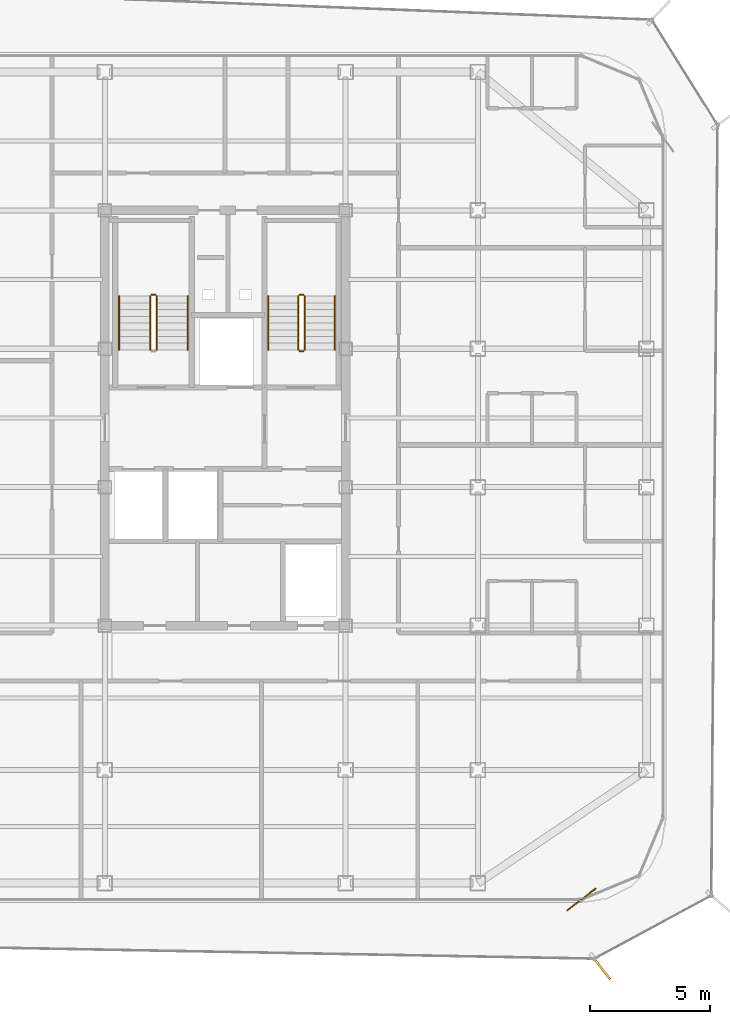
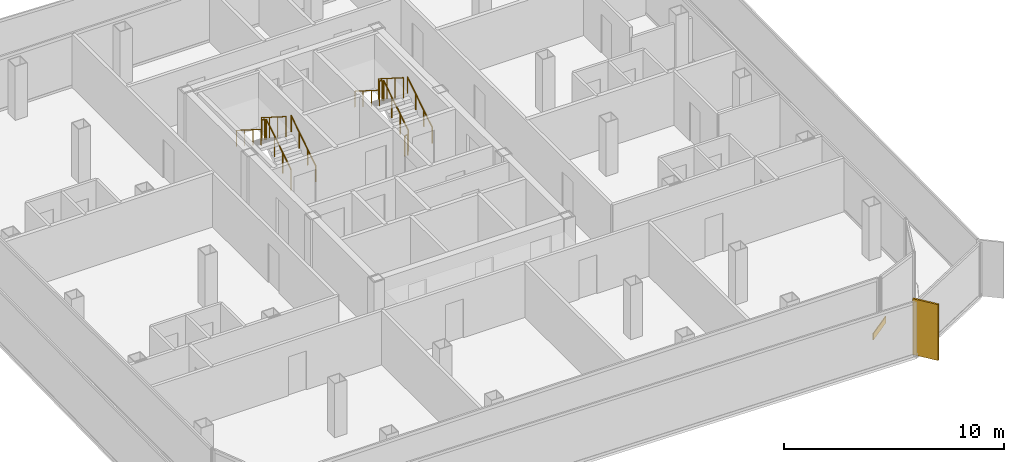
# One storey, part 14 of 15: 11 railings, 1 covering, 1 shading device.
"""IFC4 building model written with IfcOpenShell, lengths in metres."""

from ifc_helpers import new_model, si_unit, direction, frame, origin, origin_2d, place, context, subcontext, project, spatial, rectangle, circle, extrude, source, transform, mapped, material, layer, layer_set, type_object, element, save


model = new_model("IFC4")

# Units and contexts
model_context = context("Model", 3, precision=1e-05, world=origin(), true_north=direction((0.0, 1.0)))
body_context = subcontext(model_context, "Body", "Model", "MODEL_VIEW")
ifc_project = project(units=[si_unit("LENGTHUNIT", "METRE"), si_unit("AREAUNIT", "SQUARE_METRE"), si_unit("VOLUMEUNIT", "CUBIC_METRE"), si_unit("PLANEANGLEUNIT", "RADIAN"), si_unit("MASSUNIT", "GRAM", prefix="KILO")], contexts=[model_context])

# Site, building, storey
site_placement = place(None, origin())
site = spatial("IfcSite", under=ifc_project, at=site_placement, CompositionType="ELEMENT")
building_placement = place(site_placement, origin())
building = spatial("IfcBuilding", under=site, at=building_placement, Name="Kolveth Station Tower", CompositionType="ELEMENT")
storey_placement = place(building_placement, frame((0.0, 0.0, 245.699951171875)))
storey = spatial("IfcBuildingStorey", under=building, at=storey_placement, Name="L70", CompositionType="ELEMENT", Elevation=245.699951171875)

# Railings
ifc_material_1 = material(Name="Painted Steel S355 balustrade", Category="steel")
railing_type_1 = type_object("IfcRailingType", Name="Guard_GR2", PredefinedType="BALUSTRADE", material=ifc_material_1)
railing_1_placement = place(storey_placement, frame((20.64990234375, 22.949951171875, 0.177734375)))
element("IfcRailing", 1, at=railing_1_placement, inside=storey, type_object=railing_type_1, Name="L70 ST1 stair guard 1", PredefinedType="BALUSTRADE", context=body_context, shape_type="SweptSolid", body=[
    extrude(circle(Radius=0.02392578125, at=origin_2d()), frame((0.0, 0.0, 1.1259765625), z_axis=(0.0, 0.84418770128, 0.536047689118), x_axis=(-1.0, 0.0, 0.0)), (0.0, 0.0, 1.0), 2.6533203125),
    extrude(circle(Radius=0.02099609375, at=origin_2d()), origin(), (0.0, 0.0, 1.0), 1.101806640625),
    extrude(circle(Radius=0.02099609375, at=origin_2d()), frame((0.0, 0.74658203125, 0.47412109375)), (0.0, 0.0, 1.0), 1.101806640625),
    extrude(circle(Radius=0.02099609375, at=origin_2d()), frame((0.0, 1.493408203125, 0.9482421875)), (0.0, 0.0, 1.0), 1.101806640625),
    extrude(circle(Radius=0.02099609375, at=origin_2d()), frame((0.0, 2.239990234375, 1.42236328125)), (0.0, 0.0, 1.0), 1.101806640625),
])
railing_2_placement = place(storey_placement, frame((20.60009765625, 25.239990234375, 1.60009765625)))
element("IfcRailing", 2, at=railing_2_placement, inside=storey, type_object=railing_type_1, Name="L70 ST1 stair guard 2", PredefinedType="BALUSTRADE", context=body_context, shape_type="SweptSolid", body=[
    extrude(circle(Radius=0.02392578125, at=origin_2d()), frame((0.0, 0.0, 1.1259765625), z_axis=(-1.0, 0.0, 0.0), x_axis=(0.0, -1.0, 0.0)), (0.0, 0.0, 1.0), 0.16015625),
    extrude(circle(Radius=0.02099609375, at=origin_2d()), origin(), (0.0, 0.0, 1.0), 1.101806640625),
    extrude(circle(Radius=0.02099609375, at=origin_2d()), frame((-0.16015625, 0.0, 0.0)), (0.0, 0.0, 1.0), 1.101806640625),
])
railing_3_placement = place(storey_placement, frame((20.389892578125, 25.18994140625, 1.77783203125)))
element("IfcRailing", 3, at=railing_3_placement, inside=storey, type_object=railing_type_1, Name="L70 ST1 stair guard 3", PredefinedType="BALUSTRADE", context=body_context, shape_type="SweptSolid", body=[
    extrude(circle(Radius=0.02392578125, at=origin_2d()), frame((0.0, 0.0, 1.1259765625), z_axis=(0.0, -0.8442293374, 0.53598211339), x_axis=(1.0, 0.0, 0.0)), (0.0, 0.0, 1.0), 2.6533203125),
    extrude(circle(Radius=0.02099609375, at=origin_2d()), origin(), (0.0, 0.0, 1.0), 1.101806640625),
    extrude(circle(Radius=0.02099609375, at=origin_2d()), frame((0.0, -0.74658203125, 0.47412109375)), (0.0, 0.0, 1.0), 1.101806640625),
    extrude(circle(Radius=0.02099609375, at=origin_2d()), frame((0.0, -1.493408203125, 0.947998046875)), (0.0, 0.0, 1.0), 1.101806640625),
    extrude(circle(Radius=0.02099609375, at=origin_2d()), frame((0.0, -2.239990234375, 1.422119140625)), (0.0, 0.0, 1.0), 1.101806640625),
])
railing_4_placement = place(storey_placement, frame((26.800048828125, 22.949951171875, 0.177734375)))
element("IfcRailing", 4, at=railing_4_placement, inside=storey, type_object=railing_type_1, Name="L70 ST2 stair guard 1", PredefinedType="BALUSTRADE", context=body_context, shape_type="SweptSolid", body=[
    extrude(circle(Radius=0.02392578125, at=origin_2d()), frame((0.0, 0.0, 1.1259765625), z_axis=(0.0, 0.84418770128, 0.536047689118), x_axis=(-1.0, 0.0, 0.0)), (0.0, 0.0, 1.0), 2.6533203125),
    extrude(circle(Radius=0.02099609375, at=origin_2d()), origin(), (0.0, 0.0, 1.0), 1.101806640625),
    extrude(circle(Radius=0.02099609375, at=origin_2d()), frame((0.0, 0.74658203125, 0.47412109375)), (0.0, 0.0, 1.0), 1.101806640625),
    extrude(circle(Radius=0.02099609375, at=origin_2d()), frame((0.0, 1.493408203125, 0.9482421875)), (0.0, 0.0, 1.0), 1.101806640625),
    extrude(circle(Radius=0.02099609375, at=origin_2d()), frame((0.0, 2.239990234375, 1.42236328125)), (0.0, 0.0, 1.0), 1.101806640625),
])
railing_5_placement = place(storey_placement, frame((26.75, 25.239990234375, 1.60009765625)))
element("IfcRailing", 5, at=railing_5_placement, inside=storey, type_object=railing_type_1, Name="L70 ST2 stair guard 2", PredefinedType="BALUSTRADE", context=body_context, shape_type="SweptSolid", body=[
    extrude(circle(Radius=0.02392578125, at=origin_2d()), frame((0.0, 0.0, 1.1259765625), z_axis=(-1.0, 0.0, 0.0), x_axis=(0.0, -1.0, 0.0)), (0.0, 0.0, 1.0), 0.159912109375),
    extrude(circle(Radius=0.02099609375, at=origin_2d()), origin(), (0.0, 0.0, 1.0), 1.101806640625),
    extrude(circle(Radius=0.02099609375, at=origin_2d()), frame((-0.159912109375, 0.0, 0.0)), (0.0, 0.0, 1.0), 1.101806640625),
])
railing_6_placement = place(storey_placement, frame((26.5400390625, 25.18994140625, 1.77783203125)))
element("IfcRailing", 6, at=railing_6_placement, inside=storey, type_object=railing_type_1, Name="L70 ST2 stair guard 3", PredefinedType="BALUSTRADE", context=body_context, shape_type="SweptSolid", body=[
    extrude(circle(Radius=0.02392578125, at=origin_2d()), frame((0.0, 0.0, 1.1259765625), z_axis=(0.0, -0.8442293374, 0.53598211339), x_axis=(1.0, 0.0, 0.0)), (0.0, 0.0, 1.0), 2.6533203125),
    extrude(circle(Radius=0.02099609375, at=origin_2d()), origin(), (0.0, 0.0, 1.0), 1.101806640625),
    extrude(circle(Radius=0.02099609375, at=origin_2d()), frame((0.0, -0.74658203125, 0.47412109375)), (0.0, 0.0, 1.0), 1.101806640625),
    extrude(circle(Radius=0.02099609375, at=origin_2d()), frame((0.0, -1.493408203125, 0.947998046875)), (0.0, 0.0, 1.0), 1.101806640625),
    extrude(circle(Radius=0.02099609375, at=origin_2d()), frame((0.0, -2.239990234375, 1.422119140625)), (0.0, 0.0, 1.0), 1.101806640625),
])
railing_7_placement = place(storey_placement, frame((26.75, 22.89990234375, 0.0)))
element("IfcRailing", 7, at=railing_7_placement, inside=storey, type_object=railing_type_1, Name="L70 ST2 stair guard 4", PredefinedType="BALUSTRADE", context=body_context, shape_type="SweptSolid", body=[
    extrude(circle(Radius=0.02392578125, at=origin_2d()), frame((0.0, 0.0, 1.1259765625), z_axis=(-1.0, 0.0, 0.0), x_axis=(0.0, -1.0, 0.0)), (0.0, 0.0, 1.0), 0.159912109375),
    extrude(circle(Radius=0.02099609375, at=origin_2d()), origin(), (0.0, 0.0, 1.0), 1.101806640625),
    extrude(circle(Radius=0.02099609375, at=origin_2d()), frame((-0.159912109375, 0.0, 0.0)), (0.0, 0.0, 1.0), 1.101806640625),
])
ifc_material_2 = material(Name="Brushed stainless steel", Category="steel")
railing_type_2 = type_object("IfcRailingType", Name="Handrail_HR1", PredefinedType="HANDRAIL", material=ifc_material_2)
railing_8_placement = place(storey_placement, frame((21.949951171875, 22.949951171875, 0.177734375)))
element("IfcRailing", 8, at=railing_8_placement, inside=storey, type_object=railing_type_2, Name="L70 ST1 stair handrail 1", PredefinedType="HANDRAIL", context=body_context, shape_type="SweptSolid", body=[
    extrude(circle(Radius=0.02392578125, at=origin_2d()), frame((0.0, 0.0, 0.8759765625), z_axis=(0.0, 0.84418770128, 0.536047689118), x_axis=(-1.0, 0.0, 0.0)), (0.0, 0.0, 1.0), 2.6533203125),
    extrude(circle(Radius=0.02099609375, at=origin_2d()), origin(), (0.0, 0.0, 1.0), 0.851806640625),
    extrude(circle(Radius=0.02099609375, at=origin_2d()), frame((0.0, 0.74658203125, 0.47412109375)), (0.0, 0.0, 1.0), 0.851806640625),
    extrude(circle(Radius=0.02099609375, at=origin_2d()), frame((0.0, 1.493408203125, 0.9482421875)), (0.0, 0.0, 1.0), 0.851806640625),
    extrude(circle(Radius=0.02099609375, at=origin_2d()), frame((0.0, 2.239990234375, 1.42236328125)), (0.0, 0.0, 1.0), 0.851806640625),
])
railing_9_placement = place(storey_placement, frame((19.090087890625, 25.18994140625, 1.77783203125)))
element("IfcRailing", 9, at=railing_9_placement, inside=storey, type_object=railing_type_2, Name="L70 ST1 stair handrail 2", PredefinedType="HANDRAIL", context=body_context, shape_type="SweptSolid", body=[
    extrude(circle(Radius=0.02392578125, at=origin_2d()), frame((0.0, 0.0, 0.8759765625), z_axis=(0.0, -0.8442293374, 0.53598211339), x_axis=(1.0, 0.0, 0.0)), (0.0, 0.0, 1.0), 2.6533203125),
    extrude(circle(Radius=0.02099609375, at=origin_2d()), origin(), (0.0, 0.0, 1.0), 0.851806640625),
    extrude(circle(Radius=0.02099609375, at=origin_2d()), frame((0.0, -0.74658203125, 0.47412109375)), (0.0, 0.0, 1.0), 0.851806640625),
    extrude(circle(Radius=0.02099609375, at=origin_2d()), frame((0.0, -1.493408203125, 0.947998046875)), (0.0, 0.0, 1.0), 0.851806640625),
    extrude(circle(Radius=0.02099609375, at=origin_2d()), frame((0.0, -2.239990234375, 1.422119140625)), (0.0, 0.0, 1.0), 0.851806640625),
])
railing_10_placement = place(storey_placement, frame((28.050048828125, 22.949951171875, 0.177734375)))
element("IfcRailing", 10, at=railing_10_placement, inside=storey, type_object=railing_type_2, Name="L70 ST2 stair handrail 1", PredefinedType="HANDRAIL", context=body_context, shape_type="SweptSolid", body=[
    extrude(circle(Radius=0.02392578125, at=origin_2d()), frame((0.0, 0.0, 0.8759765625), z_axis=(0.0, 0.84418770128, 0.536047689118), x_axis=(-1.0, 0.0, 0.0)), (0.0, 0.0, 1.0), 2.6533203125),
    extrude(circle(Radius=0.02099609375, at=origin_2d()), origin(), (0.0, 0.0, 1.0), 0.851806640625),
    extrude(circle(Radius=0.02099609375, at=origin_2d()), frame((0.0, 0.74658203125, 0.47412109375)), (0.0, 0.0, 1.0), 0.851806640625),
    extrude(circle(Radius=0.02099609375, at=origin_2d()), frame((0.0, 1.493408203125, 0.9482421875)), (0.0, 0.0, 1.0), 0.851806640625),
    extrude(circle(Radius=0.02099609375, at=origin_2d()), frame((0.0, 2.239990234375, 1.42236328125)), (0.0, 0.0, 1.0), 0.851806640625),
])
railing_11_placement = place(storey_placement, frame((25.2900390625, 25.18994140625, 1.77783203125)))
element("IfcRailing", 11, at=railing_11_placement, inside=storey, type_object=railing_type_2, Name="L70 ST2 stair handrail 2", PredefinedType="HANDRAIL", context=body_context, shape_type="SweptSolid", body=[
    extrude(circle(Radius=0.02392578125, at=origin_2d()), frame((0.0, 0.0, 0.8759765625), z_axis=(0.0, -0.8442293374, 0.53598211339), x_axis=(1.0, 0.0, 0.0)), (0.0, 0.0, 1.0), 2.6533203125),
    extrude(circle(Radius=0.02099609375, at=origin_2d()), origin(), (0.0, 0.0, 1.0), 0.851806640625),
    extrude(circle(Radius=0.02099609375, at=origin_2d()), frame((0.0, -0.74658203125, 0.47412109375)), (0.0, 0.0, 1.0), 0.851806640625),
    extrude(circle(Radius=0.02099609375, at=origin_2d()), frame((0.0, -1.493408203125, 0.947998046875)), (0.0, 0.0, 1.0), 0.851806640625),
    extrude(circle(Radius=0.02099609375, at=origin_2d()), frame((0.0, -2.239990234375, 1.422119140625)), (0.0, 0.0, 1.0), 0.851806640625),
])

# Shading device
ifc_material_3 = material(Name="Black anodized aluminium 6063-T6", Category="aluminium")
shading_device_type = type_object("IfcShadingDeviceType", Name="FIN_VF1", PredefinedType="USERDEFINED", material=ifc_material_3)
shared_shape_1 = source(origin(), body_context, "Body", "SweptSolid", [
    extrude(rectangle(XDim=1.25, YDim=0.090087890625, at=origin_2d()), origin(), (0.0, 0.0, 1.0), 3.10009765625),
])
shading_device_placement = place(storey_placement, frame((39.10888671875, -2.701904296875, 0.0), z_axis=(0.0, 0.0, 1.0), x_axis=(0.608622953458, -0.79345957712, 0.0)))
element("IfcShadingDevice", 12, at=shading_device_placement, inside=storey, type_object=shading_device_type, Name="L70 Dark-Aluminium Solar Fin 1", ObjectType="FIN", PredefinedType="USERDEFINED", context=body_context, shape_type="MappedRepresentation", body=[
    mapped(shared_shape_1, transform((0.0, 0.0, 0.0), x_axis=(1.0, 0.0, 0.0), y_axis=(0.0, 1.0, 0.0), z_axis=(0.0, 0.0, 1.0), scale=1.0)),
])

# Covering
ifc_material_4 = material(Name="Charcoal anodized aluminium spandrel cladding", Category="aluminium")
ifc_layer = layer(ifc_material_4, 0.044921875)
ifc_layer_set = layer_set([ifc_layer], Name="Charcoal anodized aluminium spandrel cladding")
covering_type = type_object("IfcCoveringType", Name="Clad_CD1", PredefinedType="CLADDING", material=ifc_layer_set)
shared_shape_2 = source(origin(), body_context, "Body", "SweptSolid", [
    extrude(rectangle(XDim=1.5, YDim=0.044921875, at=origin_2d()), origin(), (0.0, 0.0, 1.0), 0.360107421875),
])
covering_placement = place(storey_placement, frame((38.300048828125, 0.1201171875, 0.0), z_axis=(0.0, 0.0, 1.0), x_axis=(0.79345957712, 0.608622953458, 0.0)))
element("IfcCovering", 13, at=covering_placement, inside=storey, type_object=covering_type, Name="L70 Spandrel Edge Cladding 1", PredefinedType="CLADDING", context=body_context, shape_type="MappedRepresentation", body=[
    mapped(shared_shape_2, transform((0.0, 0.0, 0.0), x_axis=(1.0, 0.0, 0.0), y_axis=(0.0, 1.0, 0.0), z_axis=(0.0, 0.0, 1.0), scale=1.0)),
])

save(model, "model.ifc")
